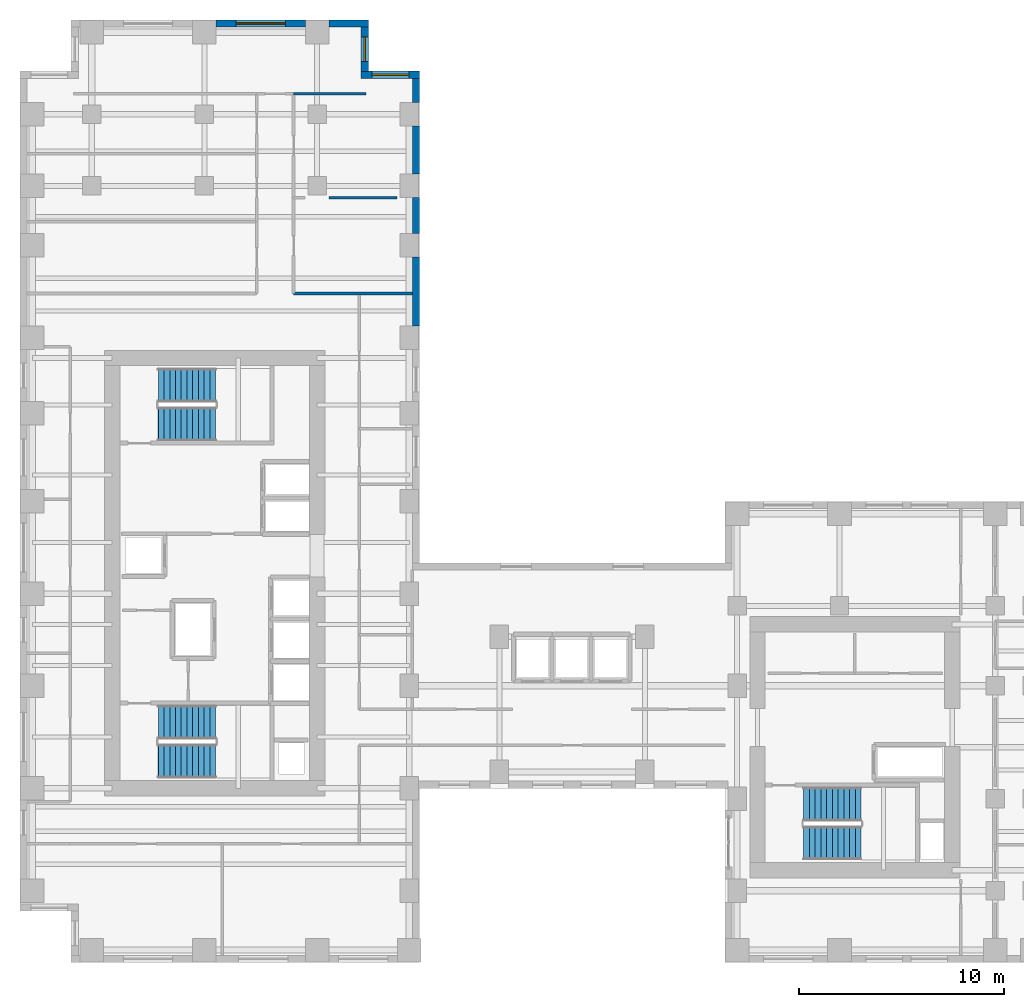
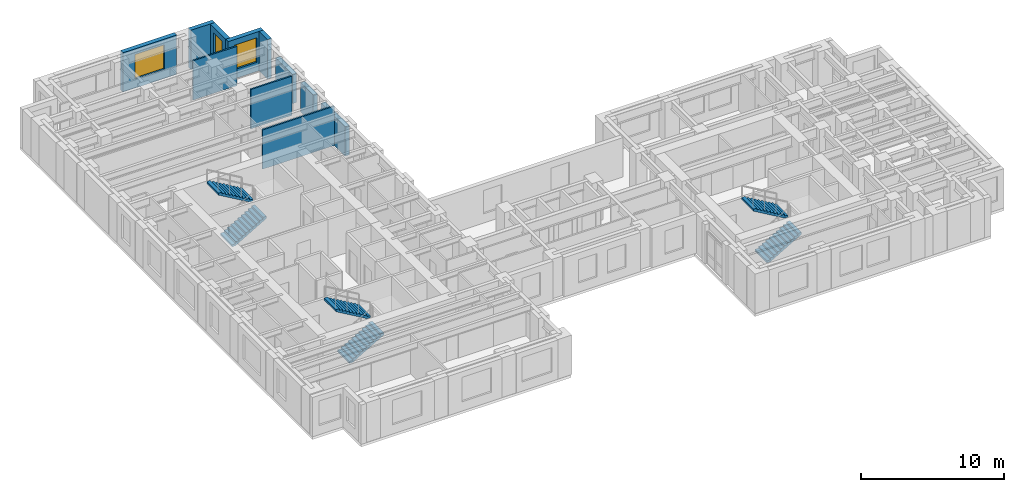
# One storey, part 10 of 12: 11 walls, 6 stair flights, 3 windows, 3 openings, 3 elements without a shape of their own.
"""IFC4 building model written with IfcOpenShell, lengths in metres."""

from ifc_helpers import new_model, si_unit, direction, frame, frame_2d, origin, place, context, subcontext, project, spatial, polyline, rectangle, outline, extrude, source, transform, mapped, material, layer, layer_set, type_object, element, fill, aggregate, save


model = new_model("IFC4")

# Units and contexts
model_context = context("Model", 3, precision=1e-05, world=origin(), true_north=direction((0.0, 1.0)))
body_context = subcontext(model_context, "Body", "Model", "MODEL_VIEW")
ifc_project = project(units=[si_unit("LENGTHUNIT", "METRE"), si_unit("AREAUNIT", "SQUARE_METRE"), si_unit("VOLUMEUNIT", "CUBIC_METRE"), si_unit("PLANEANGLEUNIT", "RADIAN"), si_unit("MASSUNIT", "GRAM", prefix="KILO")], contexts=[model_context])

# Site, building, storey
site_placement = place(None, origin())
site = spatial("IfcSite", under=ifc_project, at=site_placement, CompositionType="ELEMENT")
building_placement = place(site_placement, origin())
building = spatial("IfcBuilding", under=site, at=building_placement, Name="Kharzan Plaza Tower", CompositionType="ELEMENT")
storey_placement = place(building_placement, frame((0.0, 0.0, 117.0)))
storey = spatial("IfcBuildingStorey", under=building, at=storey_placement, Name="L31", CompositionType="ELEMENT", Elevation=117.0)

# Wall, opening, window
ifc_material_1 = material(Name="Concrete C40/50", Category="concrete")
ifc_layer_1 = layer(ifc_material_1, 0.35009765625)
ifc_layer_set_1 = layer_set([ifc_layer_1], Name="Concrete C40/50")
wall_type_1 = type_object("IfcWallType", Name="WL-EXT-MAS-Z2", PredefinedType="SOLIDWALL", material=ifc_layer_set_1)
wall_1_placement = place(storey_placement, frame((19.5, 43.324951171875, 0.0), z_axis=(0.0, 0.0, 1.0), x_axis=(-1.0, 0.0, 0.0)))
wall_1 = element("IfcWall", 1, at=wall_1_placement, inside=storey, type_object=wall_type_1, Name="L31 Masonry-Frame Exterior Wall 08", PredefinedType="SOLIDWALL", context=body_context, shape_type="SweptSolid", body=[
    extrude(rectangle(XDim=2.85009765625, YDim=0.35009765625, at=frame_2d((1.425048828125, 0.0))), origin(), (0.0, 0.0, 1.0), 3.364990234375),
])
opening_1_placement = place(wall_1_placement, frame((0.52490234375, 0.0, 0.780029296875)))
opening_1 = element("IfcOpeningElement", 2, at=opening_1_placement, cuts=wall_1, Name="Opening W1", PredefinedType="OPENING", context=body_context, shape_type="SweptSolid", body=[
    extrude(rectangle(XDim=1.800048828125, YDim=2.10009765625, at=frame_2d((0.89990234375, 1.050048828125))), frame((0.0, 0.18505859375, 0.0), z_axis=(0.0, -1.0, 0.0), x_axis=(1.0, 0.0, 0.0)), (0.0, 0.0, 1.0), 0.3701171875),
])
ifc_material_2 = material(Name="Low-E Double Glazing", Category="glass")
window_type_1 = type_object("IfcWindowType", Name="WN-REC-1800x2100", PartitioningType="SINGLE_PANEL", PredefinedType="WINDOW", material=ifc_material_2)
shared_shape_1 = source(origin(), body_context, "Body", "SweptSolid", [
    extrude(rectangle(XDim=1.800048828125, YDim=2.10009765625, at=frame_2d((0.89990234375, 1.050048828125))), frame((0.0, 0.030029296875, 0.0), z_axis=(0.0, -1.0, 0.0), x_axis=(1.0, 0.0, 0.0)), (0.0, 0.0, 1.0), 0.06005859375),
])
window_1_placement = place(opening_1_placement, origin())
window_1 = element("IfcWindow", 3, at=window_1_placement, inside=storey, type_object=window_type_1, Name="L31 Recessed Solar-Control Window 08-1", OverallHeight=2.10009765625, OverallWidth=1.800048828125, PartitioningType="SINGLE_PANEL", PredefinedType="WINDOW", context=body_context, shape_type="MappedRepresentation", body=[
    mapped(shared_shape_1, transform((0.0, 0.0, 0.0), x_axis=(1.0, 0.0, 0.0), y_axis=(0.0, 1.0, 0.0), z_axis=(0.0, 0.0, 1.0))),
])
fill(opening_1, window_1)

wall_2_placement = place(storey_placement, frame((16.824951171875, 43.498046875, 0.0), z_axis=(0.0, 0.0, 1.0), x_axis=(0.0, 1.0, 0.0)))
wall_2 = element("IfcWall", 4, at=wall_2_placement, inside=storey, type_object=wall_type_1, Name="L31 Masonry-Frame Exterior Wall 09", PredefinedType="SOLIDWALL", context=body_context, shape_type="SweptSolid", body=[
    extrude(rectangle(XDim=2.154052734375, YDim=0.35009765625, at=frame_2d((1.0771484375, 0.0))), origin(), (0.0, 0.0, 1.0), 3.364990234375),
])
opening_2_placement = place(wall_2_placement, frame((0.47705078125, 0.0, 0.780029296875)))
opening_2 = element("IfcOpeningElement", 5, at=opening_2_placement, cuts=wall_2, Name="Opening W3", PredefinedType="OPENING", context=body_context, shape_type="SweptSolid", body=[
    extrude(rectangle(XDim=1.199951171875, YDim=2.10009765625, at=frame_2d((0.60009765625, 1.050048828125))), frame((0.0, 0.18505859375, 0.0), z_axis=(0.0, -1.0, 0.0), x_axis=(1.0, 0.0, 0.0)), (0.0, 0.0, 1.0), 0.3701171875),
])
window_type_2 = type_object("IfcWindowType", Name="WN-REC-1200x2100", PartitioningType="SINGLE_PANEL", PredefinedType="WINDOW", material=ifc_material_2)
shared_shape_2 = source(origin(), body_context, "Body", "SweptSolid", [
    extrude(rectangle(XDim=1.199951171875, YDim=2.10009765625, at=frame_2d((0.60009765625, 1.050048828125))), frame((0.0, 0.030029296875, 0.0), z_axis=(0.0, -1.0, 0.0), x_axis=(1.0, 0.0, 0.0)), (0.0, 0.0, 1.0), 0.06005859375),
])
window_2_placement = place(opening_2_placement, origin())
window_2 = element("IfcWindow", 6, at=window_2_placement, inside=storey, type_object=window_type_2, Name="L31 Recessed Solar-Control Window 09-1", OverallHeight=2.10009765625, OverallWidth=1.199951171875, PartitioningType="SINGLE_PANEL", PredefinedType="WINDOW", context=body_context, shape_type="MappedRepresentation", body=[
    mapped(shared_shape_2, transform((0.0, 0.0, 0.0), x_axis=(1.0, 0.0, 0.0), y_axis=(0.0, 1.0, 0.0), z_axis=(0.0, 0.0, 1.0))),
])
fill(opening_2, window_2)

wall_3_placement = place(storey_placement, frame((13.927001953125, 45.824951171875, 0.0), z_axis=(0.0, 0.0, 1.0), x_axis=(-1.0, 0.0, 0.0)))
wall_3 = element("IfcWall", 7, at=wall_3_placement, inside=storey, type_object=wall_type_1, Name="L31 Masonry-Frame Exterior Wall 11", PredefinedType="SOLIDWALL", context=body_context, shape_type="SweptSolid", body=[
    extrude(rectangle(XDim=4.35400390625, YDim=0.35009765625, at=frame_2d((2.177001953125, 0.0))), origin(), (0.0, 0.0, 1.0), 3.364990234375),
])
opening_3_placement = place(wall_3_placement, frame((0.97705078125, 0.0, 0.780029296875)))
opening_3 = element("IfcOpeningElement", 8, at=opening_3_placement, cuts=wall_3, Name="Opening W2", PredefinedType="OPENING", context=body_context, shape_type="SweptSolid", body=[
    extrude(rectangle(XDim=2.39990234375, YDim=2.10009765625, at=frame_2d((1.199951171875, 1.050048828125))), frame((0.0, 0.18505859375, 0.0), z_axis=(0.0, -1.0, 0.0), x_axis=(1.0, 0.0, 0.0)), (0.0, 0.0, 1.0), 0.3701171875),
])
window_type_3 = type_object("IfcWindowType", Name="WN-REC-2400x2100", PartitioningType="SINGLE_PANEL", PredefinedType="WINDOW", material=ifc_material_2)
shared_shape_3 = source(origin(), body_context, "Body", "SweptSolid", [
    extrude(rectangle(XDim=2.39990234375, YDim=2.10009765625, at=frame_2d((1.199951171875, 1.050048828125))), frame((0.0, 0.030029296875, 0.0), z_axis=(0.0, -1.0, 0.0), x_axis=(1.0, 0.0, 0.0)), (0.0, 0.0, 1.0), 0.06005859375),
])
window_3_placement = place(opening_3_placement, origin())
window_3 = element("IfcWindow", 9, at=window_3_placement, inside=storey, type_object=window_type_3, Name="L31 Wide Recessed Solar-Control Window 11-1", OverallHeight=2.10009765625, OverallWidth=2.39990234375, PartitioningType="SINGLE_PANEL", PredefinedType="WINDOW", context=body_context, shape_type="MappedRepresentation", body=[
    mapped(shared_shape_3, transform((0.0, 0.0, 0.0), x_axis=(1.0, 0.0, 0.0), y_axis=(0.0, 1.0, 0.0), z_axis=(0.0, 0.0, 1.0))),
])
fill(opening_3, window_3)

# Walls
ifc_material_3 = material(Name="Fire-Rated Gypsum Board Partition", Category="gypsum")
ifc_layer_2 = layer(ifc_material_3, 0.125)
ifc_layer_set_2 = layer_set([ifc_layer_2], Name="Fire-Rated Gypsum Board Partition")
wall_type_2 = type_object("IfcWallType", Name="WL-INT-PART-125", PredefinedType="PARTITIONING", material=ifc_layer_set_2)
shared_shape_4 = source(origin(), body_context, "Body", "SweptSolid", [
    extrude(rectangle(XDim=5.7978515625, YDim=0.125, at=frame_2d((2.89892578125, 0.0))), origin(), (0.0, 0.0, 1.0), 3.364990234375),
])
wall_4_placement = place(storey_placement, frame((13.35009765625, 32.64990234375, 0.0), z_axis=(0.0, 0.0, 1.0), x_axis=(1.0, 0.0, 0.0)))
element("IfcWall", 10, at=wall_4_placement, inside=storey, type_object=wall_type_2, Name="L31 Interior Partition SH-NNE", PredefinedType="PARTITIONING", context=body_context, shape_type="MappedRepresentation", body=[
    mapped(shared_shape_4, transform((0.0, 0.0, 0.0), x_axis=(1.0, 0.0, 0.0), y_axis=(0.0, 1.0, 0.0), z_axis=(0.0, 0.0, 1.0))),
])
shared_shape_5 = source(origin(), body_context, "Body", "SweptSolid", [
    extrude(rectangle(XDim=3.5498046875, YDim=0.125, at=frame_2d((1.77490234375, 0.0))), origin(), (0.0, 0.0, 1.0), 3.364990234375),
])
wall_5_placement = place(storey_placement, frame((13.35009765625, 42.39990234375, 0.0), z_axis=(0.0, 0.0, 1.0), x_axis=(1.0, 0.0, 0.0)))
element("IfcWall", 11, at=wall_5_placement, inside=storey, type_object=wall_type_2, Name="L31 Interior Partition SH-SPHE", PredefinedType="PARTITIONING", context=body_context, shape_type="MappedRepresentation", body=[
    mapped(shared_shape_5, transform((0.0, 0.0, 0.0), x_axis=(1.0, 0.0, 0.0), y_axis=(0.0, 1.0, 0.0), z_axis=(0.0, 0.0, 1.0))),
])
shared_shape_6 = source(origin(), body_context, "Body", "SweptSolid", [
    extrude(rectangle(XDim=1.927001953125, YDim=0.35009765625, at=frame_2d((0.96337890625, 0.0))), origin(), (0.0, 0.0, 1.0), 3.364990234375),
])
wall_6_placement = place(storey_placement, frame((17.0, 45.824951171875, 0.0), z_axis=(0.0, 0.0, 1.0), x_axis=(-1.0, 0.0, 0.0)))
element("IfcWall", 12, at=wall_6_placement, inside=storey, type_object=wall_type_1, Name="L31 Masonry-Frame Exterior Wall 10", PredefinedType="SOLIDWALL", context=body_context, shape_type="MappedRepresentation", body=[
    mapped(shared_shape_6, transform((0.0, 0.0, 0.0), x_axis=(1.0, 0.0, 0.0), y_axis=(0.0, 1.0, 0.0), z_axis=(0.0, 0.0, 1.0))),
])
shared_shape_7 = source(origin(), body_context, "Body", "SweptSolid", [
    extrude(rectangle(XDim=1.17919921875, YDim=0.35009765625, at=frame_2d((0.589599609375, 0.0))), origin(), (0.0, 0.0, 1.0), 3.364990234375),
])
wall_7_placement = place(storey_placement, frame((19.324951171875, 41.972900390625, 0.0), z_axis=(0.0, 0.0, 1.0), x_axis=(0.0, 1.0, 0.0)))
element("IfcWall", 13, at=wall_7_placement, inside=storey, type_object=wall_type_1, Name="L31 Masonry-Frame Exterior Wall 07", PredefinedType="SOLIDWALL", context=body_context, shape_type="MappedRepresentation", body=[
    mapped(shared_shape_7, transform((0.0, 0.0, 0.0), x_axis=(1.0, 0.0, 0.0), y_axis=(0.0, 1.0, 0.0), z_axis=(0.0, 0.0, 1.0))),
])
shared_shape_8 = source(origin(), body_context, "Body", "SweptSolid", [
    extrude(rectangle(XDim=1.75390625, YDim=0.35009765625, at=frame_2d((0.876953125, 0.0))), origin(), (0.0, 0.0, 1.0), 2.51904296875),
])
wall_8_placement = place(storey_placement, frame((19.324951171875, 35.572998046875, 0.0), z_axis=(0.0, 0.0, 1.0), x_axis=(0.0, 1.0, 0.0)))
element("IfcWall", 14, at=wall_8_placement, inside=storey, type_object=wall_type_1, Name="L31 Masonry-Frame Exterior Wall 05", PredefinedType="SOLIDWALL", context=body_context, shape_type="MappedRepresentation", body=[
    mapped(shared_shape_8, transform((0.0, 0.0, 0.0), x_axis=(1.0, 0.0, 0.0), y_axis=(0.0, 1.0, 0.0), z_axis=(0.0, 0.0, 1.0))),
])
shared_shape_9 = source(origin(), body_context, "Body", "SweptSolid", [
    extrude(rectangle(XDim=3.35400390625, YDim=0.35009765625, at=frame_2d((1.677001953125, 0.0))), origin(), (0.0, 0.0, 1.0), 2.51904296875),
])
wall_9_placement = place(storey_placement, frame((19.324951171875, 31.072998046875, 0.0), z_axis=(0.0, 0.0, 1.0), x_axis=(0.0, 1.0, 0.0)))
element("IfcWall", 15, at=wall_9_placement, inside=storey, type_object=wall_type_1, Name="L31 Masonry-Frame Exterior Wall 04", PredefinedType="SOLIDWALL", context=body_context, shape_type="MappedRepresentation", body=[
    mapped(shared_shape_9, transform((0.0, 0.0, 0.0), x_axis=(1.0, 0.0, 0.0), y_axis=(0.0, 1.0, 0.0), z_axis=(0.0, 0.0, 1.0))),
])
shared_shape_10 = source(origin(), body_context, "Body", "SweptSolid", [
    extrude(rectangle(XDim=2.35400390625, YDim=0.35009765625, at=frame_2d((1.177001953125, 0.0))), origin(), (0.0, 0.0, 1.0), 2.51904296875),
])
wall_10_placement = place(storey_placement, frame((19.324951171875, 38.472900390625, 0.0), z_axis=(0.0, 0.0, 1.0), x_axis=(0.0, 1.0, 0.0)))
element("IfcWall", 16, at=wall_10_placement, inside=storey, type_object=wall_type_1, Name="L31 Masonry-Frame Exterior Wall 06", PredefinedType="SOLIDWALL", context=body_context, shape_type="MappedRepresentation", body=[
    mapped(shared_shape_10, transform((0.0, 0.0, 0.0), x_axis=(1.0, 0.0, 0.0), y_axis=(0.0, 1.0, 0.0), z_axis=(0.0, 0.0, 1.0))),
])
shared_shape_11 = source(origin(), body_context, "Body", "SweptSolid", [
    extrude(rectangle(XDim=3.31982421875, YDim=0.125, at=frame_2d((1.659912109375, 0.0))), origin(), (0.0, 0.0, 1.0), 3.364990234375),
])
wall_11_placement = place(storey_placement, frame((15.090087890625, 37.330078125, 0.0), z_axis=(0.0, 0.0, 1.0), x_axis=(1.0, 0.0, 0.0)))
element("IfcWall", 17, at=wall_11_placement, inside=storey, type_object=wall_type_2, Name="L31 Interior Partition SH-NEH-1-S2", PredefinedType="PARTITIONING", context=body_context, shape_type="MappedRepresentation", body=[
    mapped(shared_shape_11, transform((0.0, 0.0, 0.0), x_axis=(1.0, 0.0, 0.0), y_axis=(0.0, 1.0, 0.0), z_axis=(0.0, 0.0, 1.0))),
])

# Stair, stair flights
stair_type_1 = type_object("IfcStairType", Name="STR-ST-1", PredefinedType="HALF_TURN_STAIR", material=ifc_material_1)
stair_1_placement = place(storey_placement, origin())
stair_1 = element("IfcStair", 18, at=stair_1_placement, inside=storey, type_object=stair_type_1, Name="L31 Protected Exit Stair ST-1", PredefinedType="HALF_TURN_STAIR")
stair_flight_type = type_object("IfcStairFlightType", Name="SFL-1650-R173", PredefinedType="STRAIGHT", material=ifc_material_1)
shared_shape_12 = source(origin(), body_context, "Body", "SweptSolid", [
    extrude(outline(polyline([(-0.0029296875, -0.011962890625), (-0.0029296875, 0.0), (0.0, 0.0), (0.0, 0.16357421875), (0.280029296875, 0.16357421875), (0.280029296875, 0.3271484375), (0.56005859375, 0.3271484375), (0.56005859375, 0.49072265625), (0.840087890625, 0.49072265625), (0.840087890625, 0.654296875), (1.1201171875, 0.654296875), (1.1201171875, 0.81787109375), (1.400146484375, 0.81787109375), (1.400146484375, 0.9814453125), (1.68017578125, 0.9814453125), (1.68017578125, 1.14501953125), (1.960205078125, 1.14501953125), (1.960205078125, 1.30859375), (2.240234375, 1.30859375), (2.240234375, 1.47216796875), (2.520263671875, 1.47216796875), (2.520263671875, 1.6357421875), (2.80029296875, 1.6357421875), (2.80029296875, 1.79931640625), (2.80029296875, 1.462158203125), (0.297119140625, 0.0), (0.297119140625, -0.011962890625), (-0.0029296875, -0.011962890625)])), frame((0.0, 0.824951171875, 0.0), z_axis=(0.0, -1.0, 0.0), x_axis=(1.0, 0.0, 0.0)), (0.0, 0.0, 1.0), 1.64990234375),
])
stair_flight_1_placement = place(storey_placement, frame((6.75, 9.824951171875, 0.0), z_axis=(0.0, 0.0, 1.0), x_axis=(1.0, 0.0, 0.0)))
stair_flight_1 = element("IfcStairFlight", 19, at=stair_flight_1_placement, type_object=stair_flight_type, Name="ST-1 flight 1", NumberOfRisers=11, NumberOfTreads=10, PredefinedType="STRAIGHT", RiserHeight=0.163636364, TreadLength=0.28, context=body_context, shape_type="MappedRepresentation", body=[
    mapped(shared_shape_12, transform((0.0, 0.0, 0.0), x_axis=(1.0, 0.0, 0.0), y_axis=(0.0, 1.0, 0.0), z_axis=(0.0, 0.0, 1.0))),
])
stair_flight_2_placement = place(storey_placement, frame((9.550048828125, 11.72509765625, 1.800048828125), z_axis=(0.0, 0.0, 1.0), x_axis=(-1.0, 0.0, 0.0)))
stair_flight_2 = element("IfcStairFlight", 20, at=stair_flight_2_placement, type_object=stair_flight_type, Name="ST-1 flight 2", NumberOfRisers=11, NumberOfTreads=10, PredefinedType="STRAIGHT", RiserHeight=0.163636364, TreadLength=0.28, context=body_context, shape_type="MappedRepresentation", body=[
    mapped(shared_shape_12, transform((0.0, 0.0, 0.0), x_axis=(1.0, 0.0, 0.0), y_axis=(0.0, 1.0, 0.0), z_axis=(0.0, 0.0, 1.0))),
])
aggregate(stair_1, [stair_flight_1, stair_flight_2])

stair_type_2 = type_object("IfcStairType", Name="STR-ST-2", PredefinedType="HALF_TURN_STAIR", material=ifc_material_1)
stair_2_placement = place(storey_placement, origin())
stair_2 = element("IfcStair", 21, at=stair_2_placement, inside=storey, type_object=stair_type_2, Name="L31 Protected Exit Stair ST-2", PredefinedType="HALF_TURN_STAIR")
stair_flight_3_placement = place(storey_placement, frame((6.75, 26.27490234375, 0.0), z_axis=(0.0, 0.0, 1.0), x_axis=(1.0, 0.0, 0.0)))
stair_flight_3 = element("IfcStairFlight", 22, at=stair_flight_3_placement, type_object=stair_flight_type, Name="ST-2 flight 1", NumberOfRisers=11, NumberOfTreads=10, PredefinedType="STRAIGHT", RiserHeight=0.163636364, TreadLength=0.28, context=body_context, shape_type="MappedRepresentation", body=[
    mapped(shared_shape_12, transform((0.0, 0.0, 0.0), x_axis=(1.0, 0.0, 0.0), y_axis=(0.0, 1.0, 0.0), z_axis=(0.0, 0.0, 1.0))),
])
stair_flight_4_placement = place(storey_placement, frame((9.550048828125, 28.175048828125, 1.800048828125), z_axis=(0.0, 0.0, 1.0), x_axis=(-1.0, 0.0, 0.0)))
stair_flight_4 = element("IfcStairFlight", 23, at=stair_flight_4_placement, type_object=stair_flight_type, Name="ST-2 flight 2", NumberOfRisers=11, NumberOfTreads=10, PredefinedType="STRAIGHT", RiserHeight=0.163636364, TreadLength=0.28, context=body_context, shape_type="MappedRepresentation", body=[
    mapped(shared_shape_12, transform((0.0, 0.0, 0.0), x_axis=(1.0, 0.0, 0.0), y_axis=(0.0, 1.0, 0.0), z_axis=(0.0, 0.0, 1.0))),
])
aggregate(stair_2, [stair_flight_3, stair_flight_4])

stair_type_3 = type_object("IfcStairType", Name="STR-ST-3", PredefinedType="HALF_TURN_STAIR", material=ifc_material_1)
stair_3_placement = place(storey_placement, origin())
stair_3 = element("IfcStair", 24, at=stair_3_placement, inside=storey, type_object=stair_type_3, Name="L31 Protected Exit Stair ST-3", PredefinedType="HALF_TURN_STAIR")
stair_flight_5_placement = place(storey_placement, frame((38.25, 5.824951171875, 0.0), z_axis=(0.0, 0.0, 1.0), x_axis=(1.0, 0.0, 0.0)))
stair_flight_5 = element("IfcStairFlight", 25, at=stair_flight_5_placement, type_object=stair_flight_type, Name="ST-3 flight 1", NumberOfRisers=11, NumberOfTreads=10, PredefinedType="STRAIGHT", RiserHeight=0.163636364, TreadLength=0.28, context=body_context, shape_type="MappedRepresentation", body=[
    mapped(shared_shape_12, transform((0.0, 0.0, 0.0), x_axis=(1.0, 0.0, 0.0), y_axis=(0.0, 1.0, 0.0), z_axis=(0.0, 0.0, 1.0))),
])
stair_flight_6_placement = place(storey_placement, frame((41.050048828125, 7.72509765625, 1.800048828125), z_axis=(0.0, 0.0, 1.0), x_axis=(-1.0, 0.0, 0.0)))
stair_flight_6 = element("IfcStairFlight", 26, at=stair_flight_6_placement, type_object=stair_flight_type, Name="ST-3 flight 2", NumberOfRisers=11, NumberOfTreads=10, PredefinedType="STRAIGHT", RiserHeight=0.163636364, TreadLength=0.28, context=body_context, shape_type="MappedRepresentation", body=[
    mapped(shared_shape_12, transform((0.0, 0.0, 0.0), x_axis=(1.0, 0.0, 0.0), y_axis=(0.0, 1.0, 0.0), z_axis=(0.0, 0.0, 1.0))),
])
aggregate(stair_3, [stair_flight_5, stair_flight_6])

save(model, "model.ifc")
